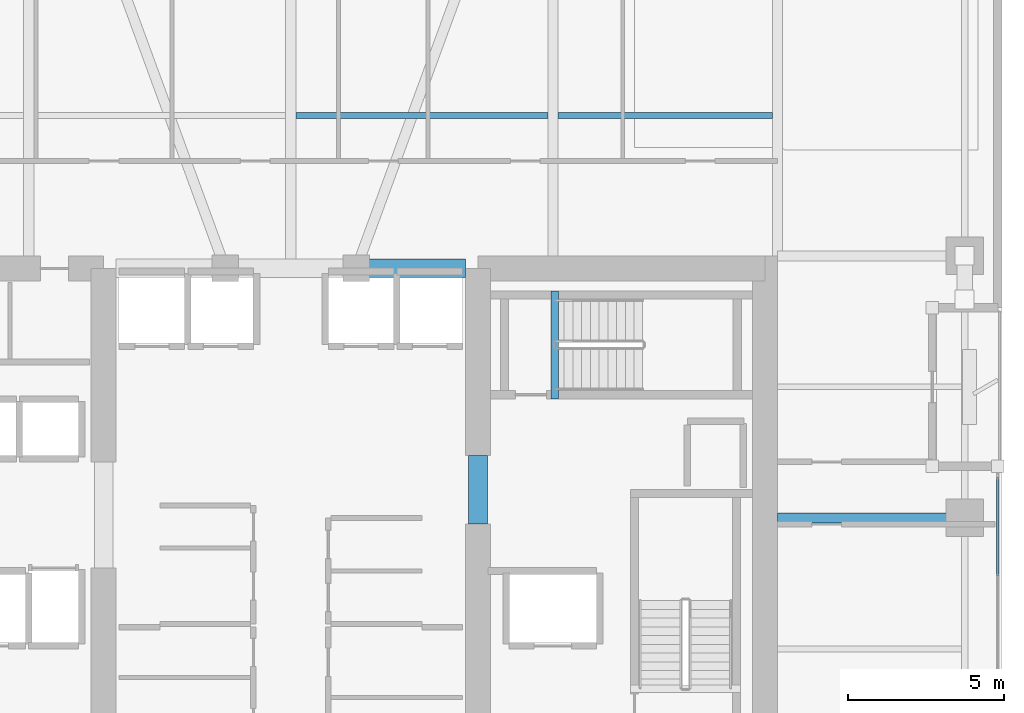
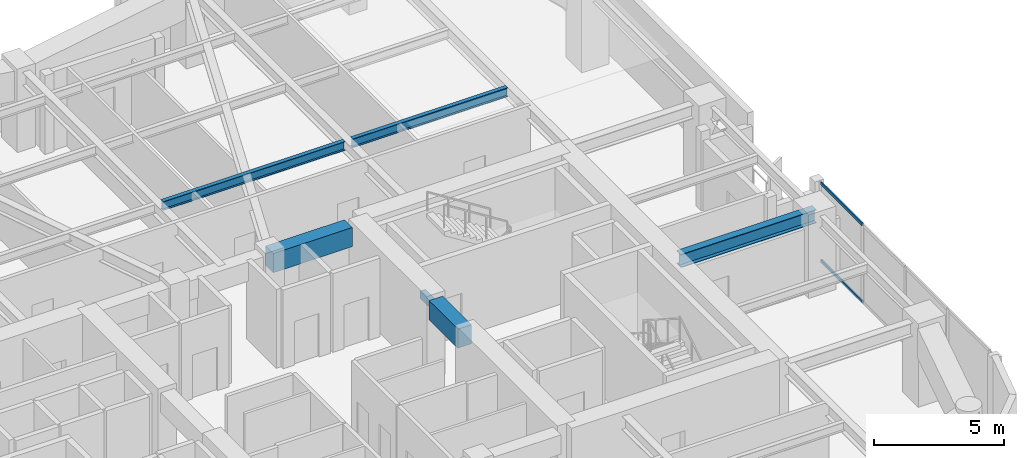
# One storey, part 10 of 30: 6 beams, 2 members, 1 element without a shape of its own.
"""IFC4 building model written with IfcOpenShell, lengths in metres."""

from ifc_helpers import new_model, si_unit, direction, frame, origin, origin_2d, place, context, subcontext, project, spatial, rectangle, hollow_rectangle, i_section, extrude, material, layer, layer_set, material_profile, profile_set, type_object, element, aggregate, save


model = new_model("IFC4")

# Units and contexts
model_context = context("Model", 3, precision=1e-05, world=origin(), true_north=direction((0.0, 1.0)))
body_context = subcontext(model_context, "Body", "Model", "MODEL_VIEW")
ifc_project = project(units=[si_unit("LENGTHUNIT", "METRE"), si_unit("AREAUNIT", "SQUARE_METRE"), si_unit("VOLUMEUNIT", "CUBIC_METRE"), si_unit("PLANEANGLEUNIT", "RADIAN"), si_unit("MASSUNIT", "GRAM", prefix="KILO")], contexts=[model_context])

# Site, building, storey
site_placement = place(None, origin())
site = spatial("IfcSite", under=ifc_project, at=site_placement, CompositionType="ELEMENT")
building_placement = place(site_placement, origin())
building = spatial("IfcBuilding", under=site, at=building_placement, Name="Kiyonajd Concourse Tower", CompositionType="ELEMENT")
storey_placement = place(building_placement, frame((0.0, 0.0, 177.89990234375)))
storey = spatial("IfcBuildingStorey", under=building, at=storey_placement, Name="L45", CompositionType="ELEMENT", Elevation=177.89990234375)

# Beams
ifc_material_1 = material(Name="Concrete C60/75", Category="concrete")
ifc_material_profile_1 = material_profile(ifc_material_1, rectangle(XDim=0.60009765625, YDim=0.89990234375, at=origin_2d()), Name="RCBM-600x900")
ifc_profile_set_1 = profile_set([ifc_material_profile_1], Name="Concrete C60/75")
beam_type_1 = type_object("IfcBeamType", Name="BM-COUP-900", PredefinedType="LINTEL", material=ifc_profile_set_1)
beam_1_placement = place(storey_placement, frame((50.10009765625, 44.0, 3.22998046875), z_axis=(1.0, 0.0, 0.0), x_axis=(0.0, 1.0, 0.0)))
element("IfcBeam", 1, at=beam_1_placement, inside=storey, type_object=beam_type_1, Name="L45 Core Coupling Beam N3", PredefinedType="LINTEL", context=body_context, shape_type="SweptSolid", body=[
    extrude(rectangle(XDim=0.60009765625, YDim=0.89990234375, at=origin_2d()), origin(), (0.0, 0.0, 1.0), 3.5),
])
beam_2_placement = place(storey_placement, frame((54.0, 35.800048828125, 3.22998046875), z_axis=(0.0, 1.0, 0.0), x_axis=(-1.0, 0.0, 0.0)))
element("IfcBeam", 2, at=beam_2_placement, inside=storey, type_object=beam_type_1, Name="L45 East Core Throat Coupling Lintel", PredefinedType="LINTEL", context=body_context, shape_type="SweptSolid", body=[
    extrude(rectangle(XDim=0.60009765625, YDim=0.89990234375, at=origin_2d()), origin(), (0.0, 0.0, 1.0), 2.199951171875),
])
ifc_material_2 = material(Name="Steel ASTM A992 Grade 50", Category="steel")
ifc_material_profile_2 = material_profile(ifc_material_2, i_section(OverallWidth=0.180908203125, OverallDepth=0.4169921875, WebThickness=0.010986328125, FlangeThickness=0.018310546875, at=origin_2d()), Name="W410X85")
ifc_profile_set_2 = profile_set([ifc_material_profile_2], Name="Steel ASTM A992 Grade 50")
beam_type_2 = type_object("IfcBeamType", Name="BM-JST-410", PredefinedType="JOIST", material=ifc_profile_set_2)
beam_3_placement = place(storey_placement, frame((48.16357421875, 48.89990234375, 3.4716796875), z_axis=(1.0, 0.0, 0.0), x_axis=(0.0, 1.0, 0.0)))
element("IfcBeam", 3, at=beam_3_placement, inside=storey, type_object=beam_type_2, Name="L45 Secondary Floor Joist", PredefinedType="JOIST", context=body_context, shape_type="SweptSolid", body=[
    extrude(i_section(OverallWidth=0.180908203125, OverallDepth=0.4169921875, WebThickness=0.010986328125, FlangeThickness=0.018310546875, at=origin_2d()), origin(), (0.0, 0.0, 1.0), 8.072998046875),
])
beam_4_placement = place(storey_placement, frame((56.5634765625, 48.89990234375, 3.4716796875), z_axis=(1.0, 0.0, 0.0), x_axis=(0.0, 1.0, 0.0)))
element("IfcBeam", 4, at=beam_4_placement, inside=storey, type_object=beam_type_2, Name="L45 Secondary Floor Joist", PredefinedType="JOIST", context=body_context, shape_type="SweptSolid", body=[
    extrude(i_section(OverallWidth=0.180908203125, OverallDepth=0.4169921875, WebThickness=0.010986328125, FlangeThickness=0.018310546875, at=origin_2d()), origin(), (0.0, 0.0, 1.0), 6.873046875),
])
ifc_material_3 = material(Name="Concrete C50/60", Category="concrete")
ifc_material_profile_3 = material_profile(ifc_material_3, rectangle(XDim=0.239990234375, YDim=0.320068359375, at=origin_2d()), Name="RCBM-240x320")
ifc_profile_set_3 = profile_set([ifc_material_profile_3], Name="Concrete C50/60")
beam_type_3 = type_object("IfcBeamType", Name="BM-LNT-250", PredefinedType="LINTEL", material=ifc_profile_set_3)
beam_5_placement = place(storey_placement, frame((56.4599609375, 39.820068359375, -0.159912109375), z_axis=(0.0, 1.0, 0.0), x_axis=(-1.0, 0.0, 0.0)))
element("IfcBeam", 5, at=beam_5_placement, inside=storey, type_object=beam_type_3, Name="L45 Stair ST3 Threshold Support Beam", PredefinedType="LINTEL", context=body_context, shape_type="SweptSolid", body=[
    extrude(rectangle(XDim=0.239990234375, YDim=0.320068359375, at=origin_2d()), origin(), (0.0, 0.0, 1.0), 3.4599609375),
])
ifc_material_profile_4 = material_profile(ifc_material_2, i_section(OverallWidth=0.326904296875, OverallDepth=0.6220703125, WebThickness=0.015380859375, FlangeThickness=0.0244140625, at=origin_2d()), Name="W610X195")
ifc_profile_set_4 = profile_set([ifc_material_profile_4], Name="Steel ASTM A992 Grade 50")
beam_type_4 = type_object("IfcBeamType", Name="BM-TWR-610A", PredefinedType="BEAM", material=ifc_profile_set_4)
beam_6_placement = place(storey_placement, frame((63.60009765625, 36.0, 3.369140625), z_axis=(1.0, 0.0, 0.0), x_axis=(0.0, 1.0, 0.0)))
element("IfcBeam", 6, at=beam_6_placement, inside=storey, type_object=beam_type_4, Name="L45 East Lease Girder", PredefinedType="BEAM", context=body_context, shape_type="SweptSolid", body=[
    extrude(i_section(OverallWidth=0.326904296875, OverallDepth=0.6220703125, WebThickness=0.015380859375, FlangeThickness=0.0244140625, at=origin_2d()), origin(), (0.0, 0.0, 1.0), 6.0),
])

# Curtain wall, members
ifc_material_4 = material(Name="Thermally Broken Anodised Aluminium", Category="aluminium")
ifc_layer = layer(ifc_material_4, 0.179931640625)
ifc_layer_set = layer_set([ifc_layer], Name="Thermally Broken Anodised Aluminium")
curtain_wall_type = type_object("IfcCurtainWallType", Name="CW-SYS-03", PredefinedType="NOTDEFINED", material=ifc_layer_set)
curtain_wall_placement = place(storey_placement, origin())
curtain_wall = element("IfcCurtainWall", 7, at=curtain_wall_placement, inside=storey, type_object=curtain_wall_type, Name="L45 Unitised Curtain Wall CW3", PredefinedType="NOTDEFINED")
ifc_material_profile_5 = material_profile(ifc_material_4, hollow_rectangle(XDim=0.06494140625, YDim=0.139892578125, WallThickness=0.00390625, at=origin_2d()), Name="TRAN-65x140")
ifc_profile_set_5 = profile_set([ifc_material_profile_5], Name="Thermally Broken Anodised Aluminium")
member_type = type_object("IfcMemberType", Name="MB-CW-TRAN1", PredefinedType="USERDEFINED", material=ifc_profile_set_5)
member_1_placement = place(storey_placement, frame((70.659912109375, 37.304931640625, 0.03271484375), z_axis=(0.0, -1.0, 0.0), x_axis=(1.0, 0.0, 0.0)))
member_1 = element("IfcMember", 8, at=member_1_placement, type_object=member_type, Name="CW3 transom 1.1", ObjectType="TRANSOM", PredefinedType="USERDEFINED", context=body_context, shape_type="SweptSolid", body=[
    extrude(hollow_rectangle(XDim=0.06494140625, YDim=0.139892578125, WallThickness=0.00390625, at=origin_2d()), origin(), (0.0, 0.0, 1.0), 3.167724609375),
])
member_2_placement = place(storey_placement, frame((70.659912109375, 37.304931640625, 3.647705078125), z_axis=(0.0, -1.0, 0.0), x_axis=(1.0, 0.0, 0.0)))
member_2 = element("IfcMember", 9, at=member_2_placement, type_object=member_type, Name="CW3 transom 1.2", ObjectType="TRANSOM", PredefinedType="USERDEFINED", context=body_context, shape_type="SweptSolid", body=[
    extrude(hollow_rectangle(XDim=0.06494140625, YDim=0.139892578125, WallThickness=0.00390625, at=origin_2d()), origin(), (0.0, 0.0, 1.0), 3.167724609375),
])
aggregate(curtain_wall, [member_1, member_2])

save(model, "model.ifc")
